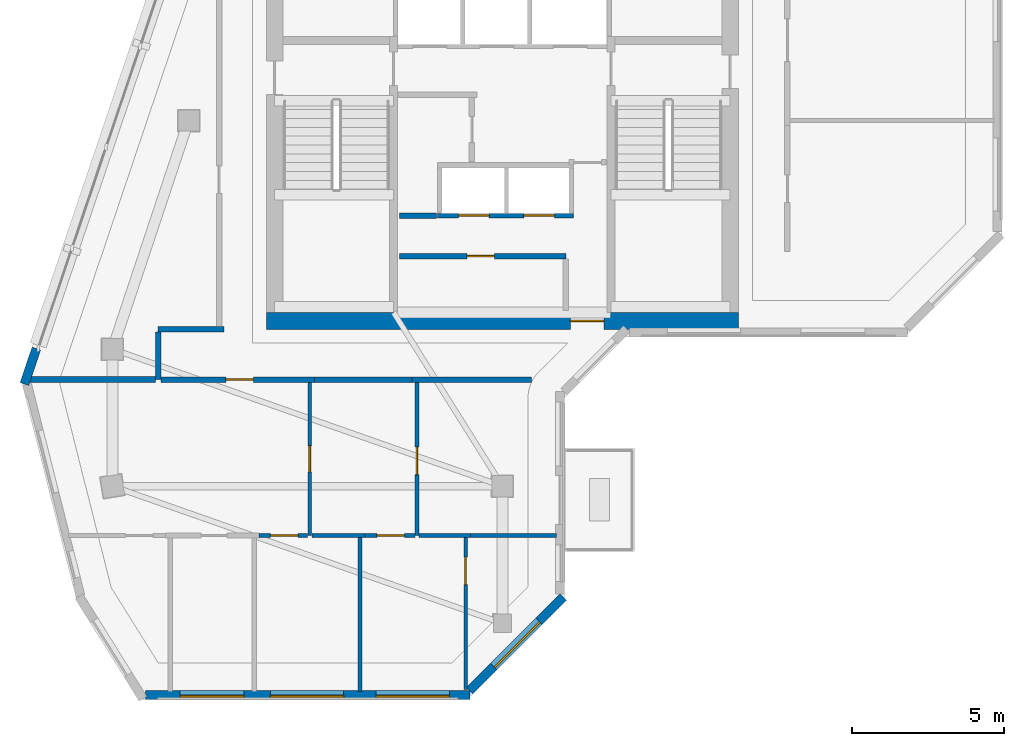
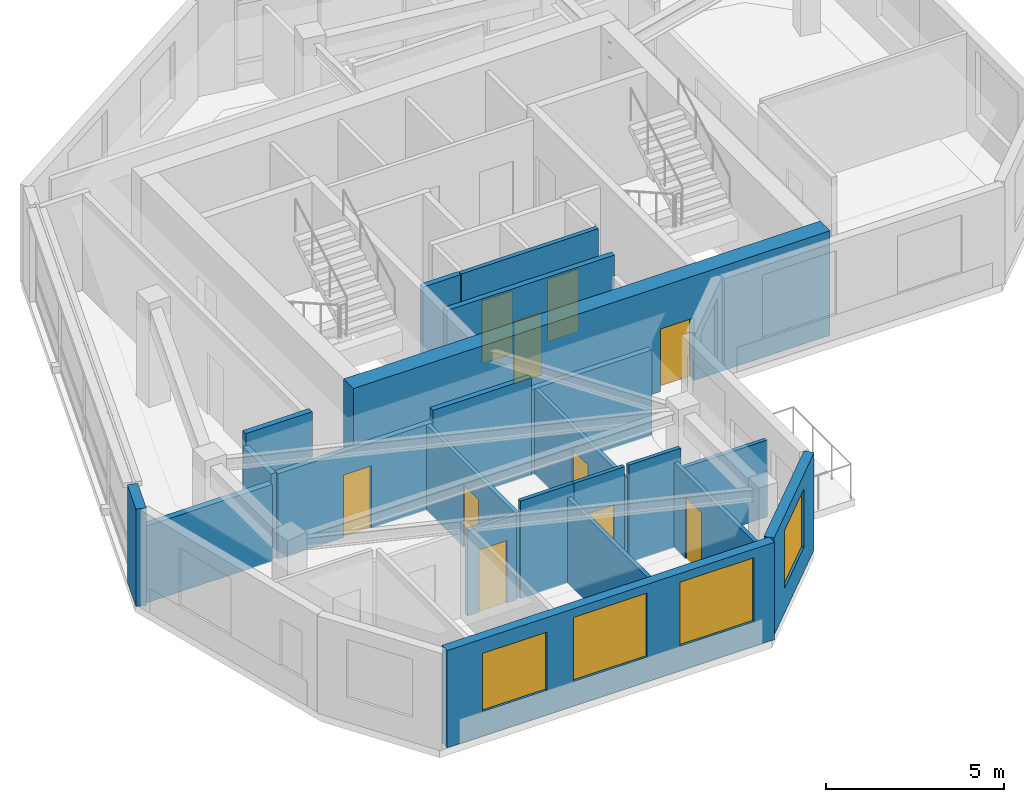
# One storey, part 3 of 8: 22 walls, 10 doors, 4 windows, 14 openings.
"""IFC4 building model written with IfcOpenShell, lengths in metres."""

import ifcopenshell
import ifcopenshell.guid

model = None  # the IFC model being written
_history = None  # IfcOwnerHistory: only IFC2X3 demands one
_inside = {}  # id of a spatial element -> (the spatial element, [elements in it])
_under = {}  # id of a project, library or spatial element -> (it, [spatial elements below it])
_declared = {}  # id of a project -> (the project, [libraries it declares])
_typed = {}  # id of a type object -> (the type object, [elements of that type])
_made_of = {}  # id of a material, layer set ... -> (it, [elements and type objects made of it])


def new_model(schema):
    """Start an empty IFC model of exactly this schema.

    Asked for "IFC4X3", IfcOpenShell would pick the latest addendum, in which some entities
    have other attributes; the version numbers below select the first issue.
    IFC2X3 requires an IfcOwnerHistory on every rooted entity: one is made here for all.
    """
    global model, _history
    if schema == "IFC4X3":
        model = ifcopenshell.file(schema_version=(4, 3, 0, 0))
    else:
        model = ifcopenshell.file(schema=schema)
    _inside.clear()
    _under.clear()
    _declared.clear()
    _typed.clear()
    _made_of.clear()
    _history = None
    if model.schema == "IFC2X3":
        org = make("IfcOrganization", Name="unknown")
        user = make(
            "IfcPersonAndOrganization",
            ThePerson=make("IfcPerson", FamilyName="unknown"),
            TheOrganization=org,
        )
        app = make(
            "IfcApplication",
            ApplicationDeveloper=org,
            Version="unknown",
            ApplicationFullName="unknown",
            ApplicationIdentifier="unknown",
        )
        _history = make(
            "IfcOwnerHistory",
            OwningUser=user,
            OwningApplication=app,
            ChangeAction="ADDED",
            CreationDate=0,
        )
    return model


def make(cls, **values):
    """One entity of the class cls with the attributes given. An attribute that is None is left unset."""
    return model.create_entity(
        cls, **{name: value for name, value in values.items() if value is not None}
    )


def rooted(cls, **values):
    """An entity with a GlobalId (a new one), such as an element, a storey or a relation."""
    return make(cls, GlobalId=ifcopenshell.guid.new(), OwnerHistory=_history, **values)


def si_unit(unit_type, name, prefix=None):
    """IfcSIUnit, for example si_unit("LENGTHUNIT", "METRE", prefix="MILLI")."""
    return make("IfcSIUnit", UnitType=unit_type, Prefix=prefix, Name=name)


def assignment(units):
    """IfcUnitAssignment: the units of a project."""
    return None if units is None else make("IfcUnitAssignment", Units=units)


def point(xyz):
    """IfcCartesianPoint."""
    return None if xyz is None else make("IfcCartesianPoint", Coordinates=xyz)


def direction(xyz):
    """IfcDirection."""
    return None if xyz is None else make("IfcDirection", DirectionRatios=xyz)


def frame(location, z_axis=None, x_axis=None):
    """IfcAxis2Placement3D, a coordinate frame: its origin and axes. An axis left out is left unset."""
    return make(
        "IfcAxis2Placement3D",
        Location=point(location),
        Axis=direction(z_axis),
        RefDirection=direction(x_axis),
    )


def frame_2d(location, x_axis=None):
    """IfcAxis2Placement2D, a coordinate frame in the plane: its origin and x axis."""
    return make(
        "IfcAxis2Placement2D", Location=point(location), RefDirection=direction(x_axis)
    )


def origin():
    """The frame at (0, 0, 0) with its axes left unset."""
    return frame((0.0, 0.0, 0.0))


def place(relative_to, where):
    """IfcLocalPlacement: puts the frame where relative to a parent placement (None: the world)."""
    return make(
        "IfcLocalPlacement", PlacementRelTo=relative_to, RelativePlacement=where
    )


def context(
    kind, dimensions, precision=None, world=None, true_north=None, identifier=None
):
    """IfcGeometricRepresentationContext, for example the 3D "Model" context."""
    return make(
        "IfcGeometricRepresentationContext",
        ContextIdentifier=identifier,
        ContextType=kind,
        CoordinateSpaceDimension=dimensions,
        Precision=precision,
        WorldCoordinateSystem=world,
        TrueNorth=true_north,
    )


def subcontext(parent, identifier, kind, view, scale=None):
    """IfcGeometricRepresentationSubContext, for example "Body" below "Model"."""
    return make(
        "IfcGeometricRepresentationSubContext",
        ContextIdentifier=identifier,
        ContextType=kind,
        ParentContext=parent,
        TargetScale=scale,
        TargetView=view,
    )


def project(units=None, contexts=None):
    """IfcProject with its units and contexts."""
    return rooted(
        "IfcProject",
        Name="project",
        RepresentationContexts=contexts,
        UnitsInContext=assignment(units),
    )


def spatial(cls, under=None, at=None, **own):
    """A site, building, storey or space (cls), placed at a placement, below another one or the project."""
    s = rooted(cls, ObjectPlacement=at, **own)
    if under is not None:
        _under.setdefault(under.id(), (under, []))[1].append(s)
    return s


def profile(cls, at=None, kind="AREA", **sizes):
    """A parametric profile (cls). Its sizes go by their IFC names, for example OverallWidth=200.0."""
    return make(cls, ProfileType=kind, Position=at, **sizes)


def rectangle(**sizes):
    """IfcRectangleProfileDef."""
    return profile("IfcRectangleProfileDef", **sizes)


def extrude(swept, where, along, depth):
    """IfcExtrudedAreaSolid: the profile swept, set in the frame where, extruded along a direction by depth."""
    return make(
        "IfcExtrudedAreaSolid",
        SweptArea=swept,
        Position=where,
        ExtrudedDirection=direction(along),
        Depth=depth,
    )


def shape(context_of_items, identifier, shape_type, items):
    """IfcShapeRepresentation: the items that make up one representation, for example the "Body"."""
    return make(
        "IfcShapeRepresentation",
        ContextOfItems=context_of_items,
        RepresentationIdentifier=identifier,
        RepresentationType=shape_type,
        Items=items,
    )


def source(mapping_origin, context_of_items, identifier, shape_type, items):
    """IfcRepresentationMap: a shape defined once, which mapped items show again and again."""
    return make(
        "IfcRepresentationMap",
        MappingOrigin=mapping_origin,
        MappedRepresentation=shape(context_of_items, identifier, shape_type, items),
    )


def transform(
    local_origin,
    x_axis=None,
    y_axis=None,
    z_axis=None,
    scale=None,
    scale2=None,
    scale3=None,
    uniform=True,
):
    """IfcCartesianTransformationOperator3D, or its non-uniform kind. x_axis, y_axis, z_axis: its Axis1, 2, 3."""
    if uniform:
        return make(
            "IfcCartesianTransformationOperator3D",
            Axis1=direction(x_axis),
            Axis2=direction(y_axis),
            LocalOrigin=point(local_origin),
            Scale=scale,
            Axis3=direction(z_axis),
        )
    return make(
        "IfcCartesianTransformationOperator3DnonUniform",
        Axis1=direction(x_axis),
        Axis2=direction(y_axis),
        LocalOrigin=point(local_origin),
        Scale=scale,
        Axis3=direction(z_axis),
        Scale2=scale2,
        Scale3=scale3,
    )


def mapped(mapping_source, mapping_target):
    """IfcMappedItem: shows the shape of a source again, moved by a transform."""
    return make(
        "IfcMappedItem", MappingSource=mapping_source, MappingTarget=mapping_target
    )


def material(Name=None, Category=None):
    """IfcMaterial."""
    return make("IfcMaterial", Name=Name, Category=Category)


def layer(
    of_material, thickness, ventilated=None, Name=None, Category=None, Priority=None
):
    """IfcMaterialLayer: one layer of a wall or slab, of a material (None: an air gap)."""
    return make(
        "IfcMaterialLayer",
        Material=of_material,
        LayerThickness=thickness,
        IsVentilated=ventilated,
        Name=Name,
        Category=Category,
        Priority=Priority,
    )


def layer_set(layers, Name=None):
    """IfcMaterialLayerSet."""
    return make("IfcMaterialLayerSet", MaterialLayers=layers, LayerSetName=Name)


def made_of(thing, what):
    """Note that an element or type object is made of a material, layer set ...; save() writes the relation."""
    if what is not None:
        _made_of.setdefault(what.id(), (what, []))[1].append(thing)
    return thing


def type_object(cls, material=None, **own):
    """A type object (cls), such as IfcWallType, which elements share."""
    return made_of(rooted(cls, **own), material)


def element(
    cls,
    number,
    at=None,
    inside=None,
    cuts=None,
    type_object=None,
    material=None,
    context=None,
    identifier="Body",
    shape_type=None,
    held_by="IfcProductDefinitionShape",
    body=None,
    shapes=None,
    **own,
):
    """One element of the class cls, such as IfcWall. Its Tag is "e" and its number.

    at: its placement. inside: the storey or other place that contains it. cuts: it is an
    opening in that element (IfcRelVoidsElement). A single representation is given by context,
    identifier, shape_type and body (its items); several are given by shapes. held_by: the class
    of the entity that holds the representations. save() writes the other relations.
    """
    e = rooted(cls, Tag="e%d" % number, ObjectPlacement=at, **own)
    if body is not None:
        shapes = [shape(context, identifier, shape_type, body)]
    if shapes is not None:
        e.Representation = make(held_by, Representations=shapes)
    if inside is not None:
        _inside.setdefault(inside.id(), (inside, []))[1].append(e)
    if cuts is not None:
        rooted(
            "IfcRelVoidsElement", RelatingBuildingElement=cuts, RelatedOpeningElement=e
        )
    if type_object is not None:
        _typed.setdefault(type_object.id(), (type_object, []))[1].append(e)
    return made_of(e, material)


def fill(opening, filler):
    """IfcRelFillsElement: the door or window that sits in an opening."""
    return rooted(
        "IfcRelFillsElement",
        RelatingOpeningElement=opening,
        RelatedBuildingElement=filler,
    )


def aggregate(whole, parts):
    """IfcRelAggregates: a whole, such as a stair, and the parts it consists of."""
    return rooted("IfcRelAggregates", RelatingObject=whole, RelatedObjects=parts)


def save(model, path):
    """Write the relations noted so far, then the file.

    IfcRelAggregates (storeys below a building ...), IfcRelContainedInSpatialStructure (elements
    in a storey), IfcRelDefinesByType, IfcRelAssociatesMaterial and IfcRelDeclares: one each for
    every whole, place, type object, material and project.
    """
    for whole, parts in _under.values():
        aggregate(whole, parts)
    for where, things in _inside.values():
        rooted(
            "IfcRelContainedInSpatialStructure",
            RelatedElements=things,
            RelatingStructure=where,
        )
    for kind, things in _typed.values():
        rooted("IfcRelDefinesByType", RelatedObjects=things, RelatingType=kind)
    for what, things in _made_of.values():
        rooted("IfcRelAssociatesMaterial", RelatedObjects=things, RelatingMaterial=what)
    for by, libraries in _declared.values():
        rooted("IfcRelDeclares", RelatingContext=by, RelatedDefinitions=libraries)
    model.write(path)


model = new_model("IFC4")

# Units and contexts
model_context = context("Model", 3, precision=1e-05, world=origin(), true_north=direction((0.0, 1.0)))
body_context = subcontext(model_context, "Body", "Model", "MODEL_VIEW")
ifc_project = project(units=[si_unit("LENGTHUNIT", "METRE"), si_unit("AREAUNIT", "SQUARE_METRE"), si_unit("VOLUMEUNIT", "CUBIC_METRE"), si_unit("PLANEANGLEUNIT", "RADIAN"), si_unit("MASSUNIT", "GRAM", prefix="KILO")], contexts=[model_context])

# Site, building, storey
site_placement = place(None, origin())
site = spatial("IfcSite", under=ifc_project, at=site_placement, CompositionType="ELEMENT")
building_placement = place(site_placement, origin())
building = spatial("IfcBuilding", under=site, at=building_placement, Name="Calvemar Wedge Station Tower", CompositionType="ELEMENT")
storey_placement = place(building_placement, frame((0.0, 0.0, 281.699951171875)))
storey = spatial("IfcBuildingStorey", under=building, at=storey_placement, Name="L72", CompositionType="ELEMENT", Elevation=281.699951171875)

# Wall, opening, door
ifc_material_1 = material(Name="Concrete C60", Category="concrete")
ifc_layer_1 = layer(ifc_material_1, 0.550048828125)
ifc_layer_set_1 = layer_set([ifc_layer_1], Name="Concrete C60")
wall_type_1 = type_object("IfcWallType", Name="SW-CORE-550", PredefinedType="SHEAR", material=ifc_layer_set_1)
wall_1_placement = place(storey_placement, frame((16.050048828125, 33.925048828125, 0.0), z_axis=(0.0, 0.0, 1.0), x_axis=(1.0, 0.0, 0.0)))
wall_1 = element("IfcWall", 1, at=wall_1_placement, inside=storey, type_object=wall_type_1, Name="Storey L72 Core Shear Wall S", PredefinedType="SHEAR", context=body_context, shape_type="SweptSolid", body=[
    extrude(rectangle(XDim=15.5, YDim=0.550048828125, at=frame_2d((7.75, 0.0))), origin(), (0.0, 0.0, 1.0), 3.60009765625),
])
shared_shape_1 = source(origin(), body_context, "Body", "SweptSolid", [
    extrude(rectangle(XDim=1.10009765625, YDim=2.14990234375, at=frame_2d((0.550048828125, 1.074951171875))), frame((0.0, 0.28515625, 0.0), z_axis=(0.0, -1.0, 0.0), x_axis=(1.0, 0.0, 0.0)), (0.0, 0.0, 1.0), 0.570068359375),
])
opening_1_placement = place(wall_1_placement, frame((9.97998046875, 0.0, 0.0)))
opening_1 = element("IfcOpeningElement", 2, at=opening_1_placement, cuts=wall_1, Name="Opening FD-90", PredefinedType="OPENING", context=body_context, shape_type="MappedRepresentation", body=[
    mapped(shared_shape_1, transform((0.0, 0.0, 0.0), scale=1.0)),
])
ifc_material_2 = material(Name="Galvanized fire-rated steel door leaf P-90", Category="steel")
door_type_1 = type_object("IfcDoorType", Name="DR-FD90-1100", OperationType="NOTDEFINED", PredefinedType="DOOR", material=ifc_material_2)
shared_shape_2 = source(origin(), body_context, "Body", "SweptSolid", [
    extrude(rectangle(XDim=1.10009765625, YDim=2.14990234375, at=frame_2d((0.550048828125, 1.074951171875))), frame((0.0, 0.02490234375, 0.0), z_axis=(0.0, -1.0, 0.0), x_axis=(1.0, 0.0, 0.0)), (0.0, 0.0, 1.0), 0.050048828125),
])
door_1_placement = place(opening_1_placement, origin())
door_1 = element("IfcDoor", 3, at=door_1_placement, inside=storey, type_object=door_type_1, Name="L72 Passenger Lift Lobby Door", OperationType="SINGLE_SWING_RIGHT", OverallHeight=2.14990234375, OverallWidth=1.10009765625, PredefinedType="DOOR", context=body_context, shape_type="MappedRepresentation", body=[
    mapped(shared_shape_2, transform((0.0, 0.0, 0.0), scale=1.0)),
])
fill(opening_1, door_1)

# Wall
ifc_material_3 = material(Name="Double-stud fire-rated corridor partition")
ifc_layer_2 = layer(ifc_material_3, 0.179931640625)
ifc_layer_set_2 = layer_set([ifc_layer_2], Name="Double-stud fire-rated corridor partition")
wall_type_2 = type_object("IfcWallType", Name="W-CORR-180", PredefinedType="PARTITIONING", material=ifc_layer_set_2)
wall_2_placement = place(storey_placement, frame((21.6298828125, 37.3798828125, 0.0), z_axis=(0.0, 0.0, 1.0), x_axis=(-1.0, 0.0, 0.0)))
element("IfcWall", 4, at=wall_2_placement, inside=storey, type_object=wall_type_2, Name="Storey L72 Interior Partition WL-L72-003", PredefinedType="PARTITIONING", context=body_context, shape_type="SweptSolid", body=[
    extrude(rectangle(XDim=1.2099609375, YDim=0.179931640625, at=frame_2d((0.60498046875, 0.0))), origin(), (0.0, 0.0, 1.0), 3.35009765625),
])

# Wall, opening, door
wall_3_placement = place(storey_placement, frame((20.419921875, 36.050048828125, 0.0), z_axis=(0.0, 0.0, 1.0), x_axis=(1.0, 0.0, 0.0)))
wall_3 = element("IfcWall", 5, at=wall_3_placement, inside=storey, type_object=wall_type_2, Name="Storey L72 Interior Partition WL-L72-005", PredefinedType="PARTITIONING", context=body_context, shape_type="SweptSolid", body=[
    extrude(rectangle(XDim=5.4599609375, YDim=0.179931640625, at=frame_2d((2.72998046875, 0.0))), origin(), (0.0, 0.0, 1.0), 3.35009765625),
])
shared_shape_3 = source(origin(), body_context, "Body", "SweptSolid", [
    extrude(rectangle(XDim=0.89990234375, YDim=2.14990234375, at=frame_2d((0.449951171875, 1.074951171875))), frame((0.0, 0.10009765625, 0.0), z_axis=(0.0, -1.0, 0.0), x_axis=(1.0, 0.0, 0.0)), (0.0, 0.0, 1.0), 0.199951171875),
])
opening_2_placement = place(wall_3_placement, frame((2.219482421875, 0.0, 0.0)))
opening_2 = element("IfcOpeningElement", 6, at=opening_2_placement, cuts=wall_3, Name="Opening FD-60", PredefinedType="OPENING", context=body_context, shape_type="MappedRepresentation", body=[
    mapped(shared_shape_3, transform((0.0, 0.0, 0.0), scale=1.0)),
])
ifc_material_4 = material(Name="Fire-rated acoustic timber-core entrance door EI 60", Category="wood")
door_type_2 = type_object("IfcDoorType", Name="DR-FD60-900", OperationType="NOTDEFINED", PredefinedType="DOOR", material=ifc_material_4)
shared_shape_4 = source(origin(), body_context, "Body", "SweptSolid", [
    extrude(rectangle(XDim=0.89990234375, YDim=2.14990234375, at=frame_2d((0.449951171875, 1.074951171875))), frame((0.0, 0.02490234375, 0.0), z_axis=(0.0, -1.0, 0.0), x_axis=(1.0, 0.0, 0.0)), (0.0, 0.0, 1.0), 0.050048828125),
])
door_2_placement = place(opening_2_placement, origin())
door_2 = element("IfcDoor", 7, at=door_2_placement, inside=storey, type_object=door_type_2, Name="L72 Wine and Parcel Store Door", OperationType="SINGLE_SWING_LEFT", OverallHeight=2.14990234375, OverallWidth=0.89990234375, PredefinedType="DOOR", context=body_context, shape_type="MappedRepresentation", body=[
    mapped(shared_shape_4, transform((0.0, 0.0, 0.0), scale=1.0)),
])
fill(opening_2, door_2)

# Walls
wall_4_placement = place(storey_placement, frame((12.5, 33.64990234375, 0.0), z_axis=(0.0, 0.0, 1.0), x_axis=(1.0, 0.0, 0.0)))
element("IfcWall", 8, at=wall_4_placement, inside=storey, type_object=wall_type_2, Name="Storey L72 Interior Partition WL-L72-007", PredefinedType="PARTITIONING", context=body_context, shape_type="SweptSolid", body=[
    extrude(rectangle(XDim=2.159912109375, YDim=0.179931640625, at=frame_2d((1.080078125, 0.0))), origin(), (0.0, 0.0, 1.0), 3.35009765625),
])
wall_5_placement = place(storey_placement, frame((12.5, 32.0, 0.0), z_axis=(0.0, 0.0, 1.0), x_axis=(0.0, 1.0, 0.0)))
element("IfcWall", 9, at=wall_5_placement, inside=storey, type_object=wall_type_2, Name="Storey L72 Interior Partition WL-L72-008", PredefinedType="PARTITIONING", context=body_context, shape_type="SweptSolid", body=[
    extrude(rectangle(XDim=1.555908203125, YDim=0.179931640625, at=frame_2d((0.77783203125, 0.0))), origin(), (0.0, 0.0, 1.0), 2.93505859375),
])
wall_6_placement = place(storey_placement, frame((24.75390625, 32.0, 0.0), z_axis=(0.0, 0.0, 1.0), x_axis=(-1.0, 0.0, 0.0)))
element("IfcWall", 10, at=wall_6_placement, inside=storey, type_object=wall_type_2, Name="Storey L72 Interior Partition WL-L72-009", PredefinedType="PARTITIONING", context=body_context, shape_type="SweptSolid", body=[
    extrude(rectangle(XDim=3.919921875, YDim=0.179931640625, at=frame_2d((1.9599609375, 0.0))), origin(), (0.0, 0.0, 1.0), 2.93505859375),
])

# Wall, opening, door
wall_7_placement = place(storey_placement, frame((17.635986328125, 32.0, 0.0), z_axis=(0.0, 0.0, 1.0), x_axis=(-1.0, 0.0, 0.0)))
wall_7 = element("IfcWall", 11, at=wall_7_placement, inside=storey, type_object=wall_type_2, Name="Storey L72 Interior Partition WL-L72-010", PredefinedType="PARTITIONING", context=body_context, shape_type="SweptSolid", body=[
    extrude(rectangle(XDim=5.0419921875, YDim=0.179931640625, at=frame_2d((2.52099609375, 0.0))), origin(), (0.0, 0.0, 1.0), 2.93505859375),
])
opening_3_placement = place(wall_7_placement, frame((2.00927734375, 0.0, 0.0)))
opening_3 = element("IfcOpeningElement", 12, at=opening_3_placement, cuts=wall_7, Name="Opening FD-60", PredefinedType="OPENING", context=body_context, shape_type="MappedRepresentation", body=[
    mapped(shared_shape_3, transform((0.0, 0.0, 0.0), scale=1.0)),
])
door_3_placement = place(opening_3_placement, origin())
door_3 = element("IfcDoor", 13, at=door_3_placement, inside=storey, type_object=door_type_2, Name="L72 Living Dining Door", OperationType="SINGLE_SWING_LEFT", OverallHeight=2.14990234375, OverallWidth=0.89990234375, PredefinedType="DOOR", context=body_context, shape_type="MappedRepresentation", body=[
    mapped(shared_shape_4, transform((0.0, 0.0, 0.0), scale=1.0)),
])
fill(opening_3, door_3)

# Walls
wall_8_placement = place(storey_placement, frame((20.83203125, 32.0, 0.0), z_axis=(0.0, 0.0, 1.0), x_axis=(-1.0, 0.0, 0.0)))
element("IfcWall", 14, at=wall_8_placement, inside=storey, type_object=wall_type_2, Name="Storey L72 Interior Partition WL-L72-011", PredefinedType="PARTITIONING", context=body_context, shape_type="SweptSolid", body=[
    extrude(rectangle(XDim=3.194091796875, YDim=0.179931640625, at=frame_2d((1.59716796875, 0.0))), origin(), (0.0, 0.0, 1.0), 3.35009765625),
])
ifc_material_5 = material(Name="Twin-stud fire-rated inter-tenancy wall")
ifc_layer_3 = layer(ifc_material_5, 0.199951171875)
ifc_layer_set_3 = layer_set([ifc_layer_3], Name="Twin-stud fire-rated inter-tenancy wall")
wall_type_3 = type_object("IfcWallType", Name="W-DEMISE-200", PredefinedType="PARTITIONING", material=ifc_layer_set_3)
wall_9_placement = place(storey_placement, frame((12.406005859375, 32.0, 0.0), z_axis=(0.0, 0.0, 1.0), x_axis=(-1.0, 0.0, 0.0)))
element("IfcWall", 15, at=wall_9_placement, inside=storey, type_object=wall_type_3, Name="Storey L72 Interior Partition WL-L72-020", PredefinedType="PARTITIONING", context=body_context, shape_type="SweptSolid", body=[
    extrude(rectangle(XDim=4.126220703125, YDim=0.199951171875, at=frame_2d((2.06298828125, 0.0))), origin(), (0.0, 0.0, 1.0), 2.64208984375),
])

# Wall, openings, windows
ifc_material_6 = material(Name="Precast concrete C45", Category="concrete")
ifc_layer_4 = layer(ifc_material_6, 0.300048828125)
ifc_layer_set_4 = layer_set([ifc_layer_4], Name="Precast concrete C45")
wall_type_4 = type_object("IfcWallType", Name="W-EXT-GFRC-300", PredefinedType="SOLIDWALL", material=ifc_layer_set_4)
wall_10_placement = place(storey_placement, frame((12.085693359375, 21.64990234375, 0.0), z_axis=(0.0, 0.0, 1.0), x_axis=(1.0, 0.0, 0.0)))
wall_10 = element("IfcWall", 16, at=wall_10_placement, inside=storey, type_object=wall_type_4, Name="Storey L72 Bronze GFRC Exterior Wall 2", PredefinedType="SOLIDWALL", context=body_context, shape_type="SweptSolid", body=[
    extrude(rectangle(XDim=10.64208984375, YDim=0.300048828125, at=frame_2d((5.321044921875, 0.0))), origin(), (0.0, 0.0, 1.0), 3.35009765625),
])
shared_shape_5 = source(origin(), body_context, "Body", "SweptSolid", [
    extrude(rectangle(XDim=2.10009765625, YDim=2.0, at=frame_2d((1.050048828125, 1.0))), frame((0.0, 0.16015625, 0.0), z_axis=(0.0, -1.0, 0.0), x_axis=(1.0, 0.0, 0.0)), (0.0, 0.0, 1.0), 0.320068359375),
])
opening_4_placement = place(wall_10_placement, frame((1.138916015625, 0.0, 0.85009765625)))
opening_4 = element("IfcOpeningElement", 17, at=opening_4_placement, cuts=wall_10, Name="Opening W4", PredefinedType="OPENING", context=body_context, shape_type="MappedRepresentation", body=[
    mapped(shared_shape_5, transform((0.0, 0.0, 0.0), scale=1.0)),
])
shared_shape_6 = source(origin(), body_context, "Body", "SweptSolid", [
    extrude(rectangle(XDim=2.39990234375, YDim=2.199951171875, at=frame_2d((1.199951171875, 1.10009765625))), frame((0.0, 0.16015625, 0.0), z_axis=(0.0, -1.0, 0.0), x_axis=(1.0, 0.0, 0.0)), (0.0, 0.0, 1.0), 0.320068359375),
])
opening_5_placement = place(wall_10_placement, frame((4.10009765625, 0.0, 0.85009765625)))
opening_5 = element("IfcOpeningElement", 18, at=opening_5_placement, cuts=wall_10, Name="Opening W1", PredefinedType="OPENING", context=body_context, shape_type="MappedRepresentation", body=[
    mapped(shared_shape_6, transform((0.0, 0.0, 0.0), scale=1.0)),
])
opening_6_placement = place(wall_10_placement, frame((7.572021484375, 0.0, 0.85009765625)))
opening_6 = element("IfcOpeningElement", 19, at=opening_6_placement, cuts=wall_10, Name="Opening W1", PredefinedType="OPENING", context=body_context, shape_type="MappedRepresentation", body=[
    mapped(shared_shape_6, transform((0.0, 0.0, 0.0), scale=1.0)),
])
ifc_material_7 = material(Name="Low-E laminated insulated glass", Category="glass")
window_type_1 = type_object("IfcWindowType", Name="WIN-EXT-4", PartitioningType="SINGLE_PANEL", PredefinedType="WINDOW", material=ifc_material_7)
shared_shape_7 = source(origin(), body_context, "Body", "SweptSolid", [
    extrude(rectangle(XDim=2.10009765625, YDim=2.0, at=frame_2d((1.050048828125, 1.0))), frame((0.0, -0.014892578125, 0.0), z_axis=(0.0, -1.0, 0.0), x_axis=(1.0, 0.0, 0.0)), (0.0, 0.0, 1.0), 0.06005859375),
])
window_1_placement = place(opening_4_placement, origin())
window_1 = element("IfcWindow", 20, at=window_1_placement, inside=storey, type_object=window_type_1, Name="Storey L72 Recessed Window 2.1", OverallHeight=2.0, OverallWidth=2.10009765625, PartitioningType="SINGLE_PANEL", PredefinedType="WINDOW", context=body_context, shape_type="MappedRepresentation", body=[
    mapped(shared_shape_7, transform((0.0, 0.0, 0.0), scale=1.0)),
])
fill(opening_4, window_1)
window_type_2 = type_object("IfcWindowType", Name="WIN-EXT-1", PartitioningType="SINGLE_PANEL", PredefinedType="WINDOW", material=ifc_material_7)
shared_shape_8 = source(origin(), body_context, "Body", "SweptSolid", [
    extrude(rectangle(XDim=2.39990234375, YDim=2.199951171875, at=frame_2d((1.199951171875, 1.10009765625))), frame((0.0, -0.014892578125, 0.0), z_axis=(0.0, -1.0, 0.0), x_axis=(1.0, 0.0, 0.0)), (0.0, 0.0, 1.0), 0.06005859375),
])
window_2_placement = place(opening_5_placement, origin())
window_2 = element("IfcWindow", 21, at=window_2_placement, inside=storey, type_object=window_type_2, Name="Storey L72 Recessed Window 2.2", OverallHeight=2.199951171875, OverallWidth=2.39990234375, PartitioningType="SINGLE_PANEL", PredefinedType="WINDOW", context=body_context, shape_type="MappedRepresentation", body=[
    mapped(shared_shape_8, transform((0.0, 0.0, 0.0), scale=1.0)),
])
fill(opening_5, window_2)
window_3_placement = place(opening_6_placement, origin())
window_3 = element("IfcWindow", 22, at=window_3_placement, inside=storey, type_object=window_type_2, Name="Storey L72 Recessed Window 2.3", OverallHeight=2.199951171875, OverallWidth=2.39990234375, PartitioningType="SINGLE_PANEL", PredefinedType="WINDOW", context=body_context, shape_type="MappedRepresentation", body=[
    mapped(shared_shape_8, transform((0.0, 0.0, 0.0), scale=1.0)),
])
fill(opening_6, window_3)

# Wall, opening, window
wall_11_placement = place(storey_placement, frame((22.7158203125, 21.7880859375, 0.0), z_axis=(0.0, 0.0, 1.0), x_axis=(0.707134803727, 0.707078757535, 0.0)))
wall_11 = element("IfcWall", 23, at=wall_11_placement, inside=storey, type_object=wall_type_4, Name="Storey L72 Bronze GFRC Exterior Wall 3", PredefinedType="SOLIDWALL", context=body_context, shape_type="SweptSolid", body=[
    extrude(rectangle(XDim=4.35595703125, YDim=0.300048828125, at=frame_2d((2.177978515625, 0.0))), origin(), (0.0, 0.0, 1.0), 3.35009765625),
])
opening_7_placement = place(wall_11_placement, frame((1.1279296875, 0.0, 0.85009765625)))
opening_7 = element("IfcOpeningElement", 24, at=opening_7_placement, cuts=wall_11, Name="Opening W4", PredefinedType="OPENING", context=body_context, shape_type="MappedRepresentation", body=[
    mapped(shared_shape_5, transform((0.0, 0.0, 0.0), scale=1.0)),
])
window_4_placement = place(opening_7_placement, origin())
window_4 = element("IfcWindow", 25, at=window_4_placement, inside=storey, type_object=window_type_1, Name="Storey L72 Recessed Window 3.1", OverallHeight=2.0, OverallWidth=2.10009765625, PartitioningType="SINGLE_PANEL", PredefinedType="WINDOW", context=body_context, shape_type="MappedRepresentation", body=[
    mapped(shared_shape_7, transform((0.0, 0.0, 0.0), scale=1.0)),
])
fill(opening_7, window_4)

# Wall
wall_12_placement = place(storey_placement, frame((8.501708984375, 33.01708984375, 0.0), z_axis=(0.0, 0.0, 1.0), x_axis=(-0.319798692732, -0.947485512357, 0.0)))
element("IfcWall", 26, at=wall_12_placement, inside=storey, type_object=wall_type_4, Name="Storey L72 Bronze GFRC Corner Pier 12B", PredefinedType="SOLIDWALL", context=body_context, shape_type="SweptSolid", body=[
    extrude(rectangle(XDim=1.22998046875, YDim=0.300048828125, at=frame_2d((0.614990234375, 0.0))), origin(), (0.0, 0.0, 1.0), 3.35009765625),
])

# Wall, openings, doors
ifc_material_8 = material(Name="Reinforced concrete blockwork lift shaft wall", Category="masonry")
ifc_layer_5 = layer(ifc_material_8, 0.139892578125)
ifc_layer_set_5 = layer_set([ifc_layer_5], Name="Reinforced concrete blockwork lift shaft wall")
wall_type_5 = type_object("IfcWallType", Name="W-LIFT-160", PredefinedType="SOLIDWALL", material=ifc_layer_set_5)
wall_13_placement = place(storey_placement, frame((21.669921875, 37.3798828125, 0.0), z_axis=(0.0, 0.0, 1.0), x_axis=(1.0, 0.0, 0.0)))
wall_13 = element("IfcWall", 27, at=wall_13_placement, inside=storey, type_object=wall_type_5, Name="Storey L72 Upper Passenger Lift Bank Front Wall", PredefinedType="SOLIDWALL", context=body_context, shape_type="SweptSolid", body=[
    extrude(rectangle(XDim=4.4599609375, YDim=0.139892578125, at=frame_2d((2.22998046875, 0.0))), origin(), (0.0, 0.0, 1.0), 3.35009765625),
])
shared_shape_9 = source(origin(), body_context, "Body", "SweptSolid", [
    extrude(rectangle(XDim=1.0, YDim=2.14990234375, at=frame_2d((0.5, 1.074951171875))), frame((0.0, 0.080078125, 0.0), z_axis=(0.0, -1.0, 0.0), x_axis=(1.0, 0.0, 0.0)), (0.0, 0.0, 1.0), 0.159912109375),
])
opening_8_placement = place(wall_13_placement, frame((0.695068359375, 0.0, 0.0)))
opening_8 = element("IfcOpeningElement", 28, at=opening_8_placement, cuts=wall_13, Name="Opening LD-PAX", PredefinedType="OPENING", context=body_context, shape_type="MappedRepresentation", body=[
    mapped(shared_shape_9, transform((0.0, 0.0, 0.0), scale=1.0)),
])
opening_9_placement = place(wall_13_placement, frame((2.8349609375, 0.0, 0.0)))
opening_9 = element("IfcOpeningElement", 29, at=opening_9_placement, cuts=wall_13, Name="Opening LD-PAX", PredefinedType="OPENING", context=body_context, shape_type="MappedRepresentation", body=[
    mapped(shared_shape_9, transform((0.0, 0.0, 0.0), scale=1.0)),
])
ifc_material_9 = material(Name="Anodised bronze passenger lift sliding landing door")
door_type_3 = type_object("IfcDoorType", Name="DR-LD-PAX-1000", OperationType="SLIDING_TO_LEFT", PredefinedType="DOOR", material=ifc_material_9)
shared_shape_10 = source(origin(), body_context, "Body", "SweptSolid", [
    extrude(rectangle(XDim=1.0, YDim=2.14990234375, at=frame_2d((0.5, 1.074951171875))), frame((0.0, 0.02490234375, 0.0), z_axis=(0.0, -1.0, 0.0), x_axis=(1.0, 0.0, 0.0)), (0.0, 0.0, 1.0), 0.050048828125),
])
door_4_placement = place(opening_8_placement, origin())
door_4 = element("IfcDoor", 30, at=door_4_placement, inside=storey, type_object=door_type_3, Name="L72 Lift RH-02 Sliding Landing Door", OperationType="SLIDING_TO_RIGHT", OverallHeight=2.14990234375, OverallWidth=1.0, PredefinedType="DOOR", context=body_context, shape_type="MappedRepresentation", body=[
    mapped(shared_shape_10, transform((0.0, 0.0, 0.0), scale=1.0)),
])
fill(opening_8, door_4)
door_5_placement = place(opening_9_placement, origin())
door_5 = element("IfcDoor", 31, at=door_5_placement, inside=storey, type_object=door_type_3, Name="L72 Lift RH-03 Sliding Landing Door", OperationType="SLIDING_TO_LEFT", OverallHeight=2.14990234375, OverallWidth=1.0, PredefinedType="DOOR", context=body_context, shape_type="MappedRepresentation", body=[
    mapped(shared_shape_10, transform((0.0, 0.0, 0.0), scale=1.0)),
])
fill(opening_9, door_5)

# Wall, opening, door
ifc_material_10 = material(Name="Insulated acoustic gypsum stud partition")
ifc_layer_6 = layer(ifc_material_10, 0.125)
ifc_layer_set_6 = layer_set([ifc_layer_6], Name="Insulated acoustic gypsum stud partition")
wall_type_6 = type_object("IfcWallType", Name="W-PART-125", PredefinedType="PARTITIONING", material=ifc_layer_set_6)
wall_14_placement = place(storey_placement, frame((20.993896484375, 26.883056640625, 0.0), z_axis=(0.0, 0.0, 1.0), x_axis=(0.0, 1.0, 0.0)))
wall_14 = element("IfcWall", 32, at=wall_14_placement, inside=storey, type_object=wall_type_6, Name="Storey L72 Interior Partition WL-L72-025", PredefinedType="PARTITIONING", context=body_context, shape_type="SweptSolid", body=[
    extrude(rectangle(XDim=5.02294921875, YDim=0.125, at=frame_2d((2.511474609375, 0.0))), origin(), (0.0, 0.0, 1.0), 2.93505859375),
])
shared_shape_11 = source(origin(), body_context, "Body", "SweptSolid", [
    extrude(rectangle(XDim=0.89990234375, YDim=2.14990234375, at=frame_2d((0.449951171875, 1.074951171875))), frame((0.0, 0.072509765625, 0.0), z_axis=(0.0, -1.0, 0.0), x_axis=(1.0, 0.0, 0.0)), (0.0, 0.0, 1.0), 0.14501953125),
])
opening_10_placement = place(wall_14_placement, frame((2.0, 0.0, 0.0)))
opening_10 = element("IfcOpeningElement", 33, at=opening_10_placement, cuts=wall_14, Name="Opening D-01", PredefinedType="OPENING", context=body_context, shape_type="MappedRepresentation", body=[
    mapped(shared_shape_11, transform((0.0, 0.0, 0.0), scale=1.0)),
])
ifc_material_11 = material(Name="Architectural hardwood acoustic swing door", Category="wood")
door_type_4 = type_object("IfcDoorType", Name="DR-INT-900", OperationType="NOTDEFINED", PredefinedType="DOOR", material=ifc_material_11)
shared_shape_12 = source(origin(), body_context, "Body", "SweptSolid", [
    extrude(rectangle(XDim=0.89990234375, YDim=2.14990234375, at=frame_2d((0.449951171875, 1.074951171875))), frame((0.0, 0.02490234375, 0.0), z_axis=(0.0, -1.0, 0.0), x_axis=(1.0, 0.0, 0.0)), (0.0, 0.0, 1.0), 0.050048828125),
])
door_6_placement = place(opening_10_placement, origin())
door_6 = element("IfcDoor", 34, at=door_6_placement, inside=storey, type_object=door_type_4, Name="L72 Study Door", OperationType="SINGLE_SWING_RIGHT", OverallHeight=2.14990234375, OverallWidth=0.89990234375, PredefinedType="DOOR", context=body_context, shape_type="MappedRepresentation", body=[
    mapped(shared_shape_12, transform((0.0, 0.0, 0.0), scale=1.0)),
])
fill(opening_10, door_6)

# Walls
wall_15_placement = place(storey_placement, frame((22.7529296875, 26.883056640625, 0.0), z_axis=(0.0, 0.0, 1.0), x_axis=(-1.0, 0.0, 0.0)))
element("IfcWall", 35, at=wall_15_placement, inside=storey, type_object=wall_type_6, Name="Storey L72 Interior Partition WL-L72-026", PredefinedType="PARTITIONING", context=body_context, shape_type="SweptSolid", body=[
    extrude(rectangle(XDim=1.6923828125, YDim=0.125, at=frame_2d((0.84619140625, 0.0))), origin(), (0.0, 0.0, 1.0), 3.35009765625),
])
wall_16_placement = place(storey_placement, frame((25.574951171875, 26.883056640625, 0.0), z_axis=(0.0, 0.0, 1.0), x_axis=(-1.0, 0.0, 0.0)))
element("IfcWall", 36, at=wall_16_placement, inside=storey, type_object=wall_type_6, Name="Storey L72 Interior Partition WL-L72-027", PredefinedType="PARTITIONING", context=body_context, shape_type="SweptSolid", body=[
    extrude(rectangle(XDim=2.820068359375, YDim=0.125, at=frame_2d((1.41015625, 0.0))), origin(), (0.0, 0.0, 1.0), 2.64208984375),
])

# Wall, opening, door
wall_17_placement = place(storey_placement, frame((17.47607421875, 31.906005859375, 0.0), z_axis=(0.0, 0.0, 1.0), x_axis=(0.0, -1.0, 0.0)))
wall_17 = element("IfcWall", 37, at=wall_17_placement, inside=storey, type_object=wall_type_6, Name="Storey L72 Interior Partition WL-L72-028", PredefinedType="PARTITIONING", context=body_context, shape_type="SweptSolid", body=[
    extrude(rectangle(XDim=5.02294921875, YDim=0.125, at=frame_2d((2.511474609375, 0.0))), origin(), (0.0, 0.0, 1.0), 2.93505859375),
])
shared_shape_13 = source(origin(), body_context, "Body", "SweptSolid", [
    extrude(rectangle(XDim=0.85009765625, YDim=2.14990234375, at=frame_2d((0.425048828125, 1.074951171875))), frame((0.0, 0.072509765625, 0.0), z_axis=(0.0, -1.0, 0.0), x_axis=(1.0, 0.0, 0.0)), (0.0, 0.0, 1.0), 0.14501953125),
])
opening_11_placement = place(wall_17_placement, frame((2.08642578125, 0.0, 0.0)))
opening_11 = element("IfcOpeningElement", 38, at=opening_11_placement, cuts=wall_17, Name="Opening D-02", PredefinedType="OPENING", context=body_context, shape_type="MappedRepresentation", body=[
    mapped(shared_shape_13, transform((0.0, 0.0, 0.0), scale=1.0)),
])
ifc_material_12 = material(Name="Moisture-sealed bathroom hardwood swing door", Category="wood")
door_type_5 = type_object("IfcDoorType", Name="DR-WET-850", OperationType="NOTDEFINED", PredefinedType="DOOR", material=ifc_material_12)
shared_shape_14 = source(origin(), body_context, "Body", "SweptSolid", [
    extrude(rectangle(XDim=0.85009765625, YDim=2.14990234375, at=frame_2d((0.425048828125, 1.074951171875))), frame((0.0, 0.02490234375, 0.0), z_axis=(0.0, -1.0, 0.0), x_axis=(1.0, 0.0, 0.0)), (0.0, 0.0, 1.0), 0.050048828125),
])
door_7_placement = place(opening_11_placement, origin())
door_7 = element("IfcDoor", 39, at=door_7_placement, inside=storey, type_object=door_type_5, Name="L72 Kitchen Door", OperationType="SINGLE_SWING_RIGHT", OverallHeight=2.14990234375, OverallWidth=0.85009765625, PredefinedType="DOOR", context=body_context, shape_type="MappedRepresentation", body=[
    mapped(shared_shape_14, transform((0.0, 0.0, 0.0), scale=1.0)),
])
fill(opening_11, door_7)

wall_18_placement = place(storey_placement, frame((17.409423828125, 26.883056640625, 0.0), z_axis=(0.0, 0.0, 1.0), x_axis=(-1.0, 0.0, 0.0)))
wall_18 = element("IfcWall", 40, at=wall_18_placement, inside=storey, type_object=wall_type_6, Name="Storey L72 Interior Partition WL-L72-031", PredefinedType="PARTITIONING", context=body_context, shape_type="SweptSolid", body=[
    extrude(rectangle(XDim=1.597412109375, YDim=0.125, at=frame_2d((0.798828125, 0.0))), origin(), (0.0, 0.0, 1.0), 2.93505859375),
])
opening_12_placement = place(wall_18_placement, frame((0.314453125, 0.0, 0.0)))
opening_12 = element("IfcOpeningElement", 41, at=opening_12_placement, cuts=wall_18, Name="Opening D-01", PredefinedType="OPENING", context=body_context, shape_type="MappedRepresentation", body=[
    mapped(shared_shape_11, transform((0.0, 0.0, 0.0), scale=1.0)),
])
door_8_placement = place(opening_12_placement, origin())
door_8 = element("IfcDoor", 42, at=door_8_placement, inside=storey, type_object=door_type_4, Name="L72 Master Bedroom Door", OperationType="SINGLE_SWING_LEFT", OverallHeight=2.14990234375, OverallWidth=0.89990234375, PredefinedType="DOOR", context=body_context, shape_type="MappedRepresentation", body=[
    mapped(shared_shape_12, transform((0.0, 0.0, 0.0), scale=1.0)),
])
fill(opening_12, door_8)

# Wall
wall_19_placement = place(storey_placement, frame((19.281982421875, 26.883056640625, 0.0), z_axis=(0.0, 0.0, 1.0), x_axis=(-1.0, 0.0, 0.0)))
element("IfcWall", 43, at=wall_19_placement, inside=storey, type_object=wall_type_6, Name="Storey L72 Interior Partition WL-L72-032", PredefinedType="PARTITIONING", context=body_context, shape_type="SweptSolid", body=[
    extrude(rectangle(XDim=1.739501953125, YDim=0.125, at=frame_2d((0.86962890625, 0.0))), origin(), (0.0, 0.0, 1.0), 3.35009765625),
])

# Wall, opening, door
wall_20_placement = place(storey_placement, frame((20.927490234375, 26.883056640625, 0.0), z_axis=(0.0, 0.0, 1.0), x_axis=(-1.0, 0.0, 0.0)))
wall_20 = element("IfcWall", 44, at=wall_20_placement, inside=storey, type_object=wall_type_6, Name="Storey L72 Interior Partition WL-L72-033", PredefinedType="PARTITIONING", context=body_context, shape_type="SweptSolid", body=[
    extrude(rectangle(XDim=1.6435546875, YDim=0.125, at=frame_2d((0.82177734375, 0.0))), origin(), (0.0, 0.0, 1.0), 3.35009765625),
])
opening_13_placement = place(wall_20_placement, frame((0.348876953125, 0.0, 0.0)))
opening_13 = element("IfcOpeningElement", 45, at=opening_13_placement, cuts=wall_20, Name="Opening D-01", PredefinedType="OPENING", context=body_context, shape_type="MappedRepresentation", body=[
    mapped(shared_shape_11, transform((0.0, 0.0, 0.0), scale=1.0)),
])
door_9_placement = place(opening_13_placement, origin())
door_9 = element("IfcDoor", 46, at=door_9_placement, inside=storey, type_object=door_type_4, Name="L72 Bedroom Door", OperationType="SINGLE_SWING_RIGHT", OverallHeight=2.14990234375, OverallWidth=0.89990234375, PredefinedType="DOOR", context=body_context, shape_type="MappedRepresentation", body=[
    mapped(shared_shape_12, transform((0.0, 0.0, 0.0), scale=1.0)),
])
fill(opening_13, door_9)

# Wall
wall_21_placement = place(storey_placement, frame((19.1220703125, 26.81640625, 0.0), z_axis=(0.0, 0.0, 1.0), x_axis=(0.0, -1.0, 0.0)))
element("IfcWall", 47, at=wall_21_placement, inside=storey, type_object=wall_type_6, Name="Storey L72 Interior Partition WL-L72-036", PredefinedType="PARTITIONING", context=body_context, shape_type="SweptSolid", body=[
    extrude(rectangle(XDim=5.051513671875, YDim=0.125, at=frame_2d((2.52587890625, 0.0))), origin(), (0.0, 0.0, 1.0), 2.93505859375),
])

# Wall, opening, door
wall_22_placement = place(storey_placement, frame((22.593017578125, 26.81640625, 0.0), z_axis=(0.0, 0.0, 1.0), x_axis=(0.0, -1.0, 0.0)))
wall_22 = element("IfcWall", 48, at=wall_22_placement, inside=storey, type_object=wall_type_6, Name="Storey L72 Interior Partition WL-L72-037", PredefinedType="PARTITIONING", context=body_context, shape_type="SweptSolid", body=[
    extrude(rectangle(XDim=4.988525390625, YDim=0.125, at=frame_2d((2.494140625, 0.0))), origin(), (0.0, 0.0, 1.0), 2.93505859375),
])
opening_14_placement = place(wall_22_placement, frame((0.64501953125, 0.0, 0.0)))
opening_14 = element("IfcOpeningElement", 49, at=opening_14_placement, cuts=wall_22, Name="Opening D-01", PredefinedType="OPENING", context=body_context, shape_type="MappedRepresentation", body=[
    mapped(shared_shape_11, transform((0.0, 0.0, 0.0), scale=1.0)),
])
door_10_placement = place(opening_14_placement, origin())
door_10 = element("IfcDoor", 50, at=door_10_placement, inside=storey, type_object=door_type_4, Name="L72 Study Door", OperationType="SINGLE_SWING_LEFT", OverallHeight=2.14990234375, OverallWidth=0.89990234375, PredefinedType="DOOR", context=body_context, shape_type="MappedRepresentation", body=[
    mapped(shared_shape_12, transform((0.0, 0.0, 0.0), scale=1.0)),
])
fill(opening_14, door_10)

save(model, "model.ifc")
